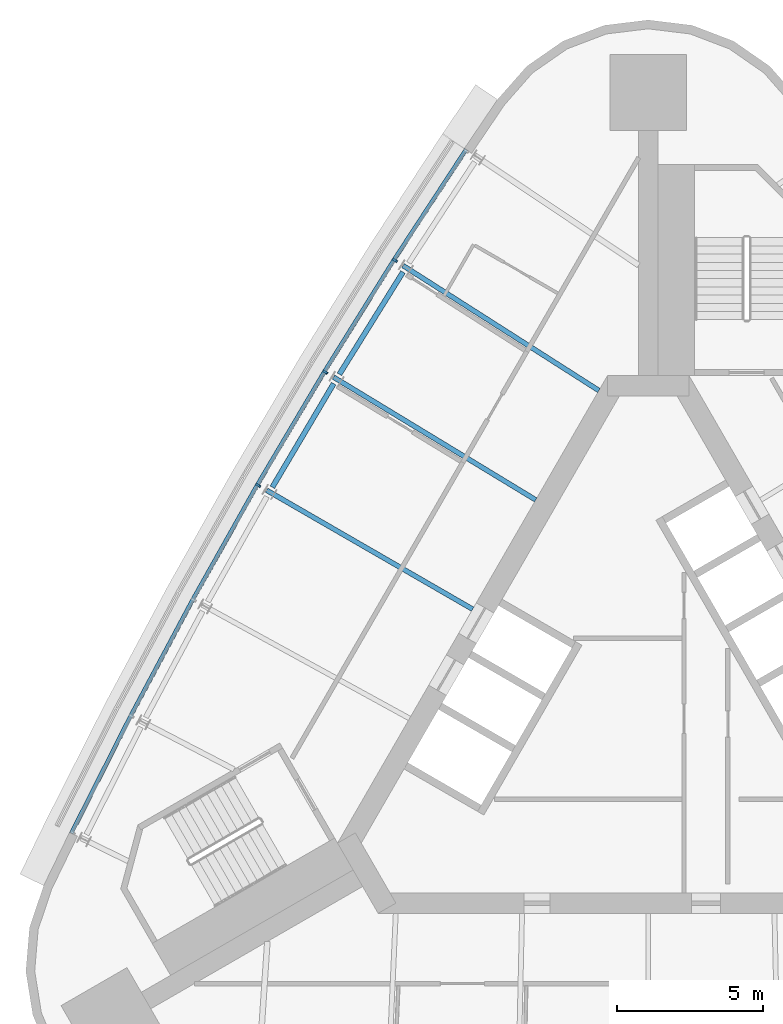
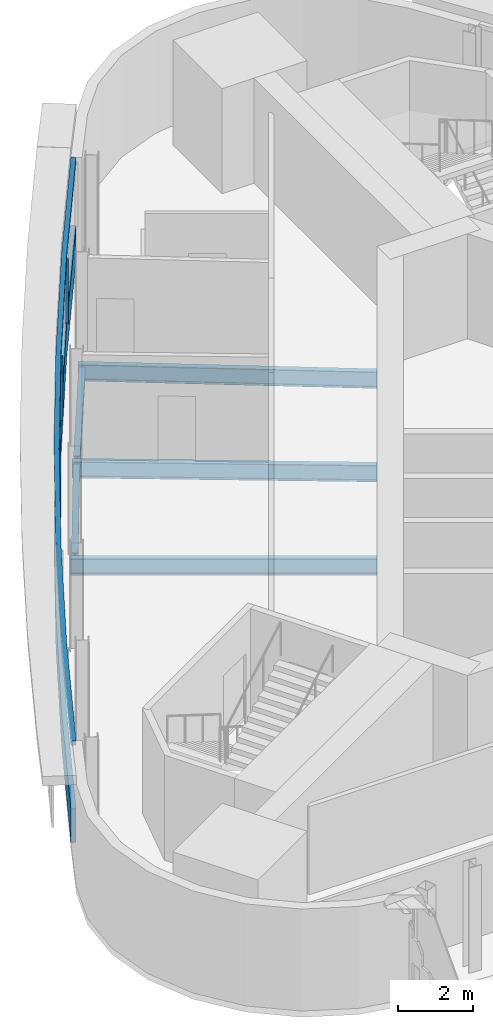
# One storey, part 6 of 14: 5 beams, 5 members, 1 element without a shape of its own.
"""IFC4 building model written with IfcOpenShell, lengths in metres."""

from ifc_helpers import new_model, si_unit, direction, frame, origin, origin_2d, place, context, subcontext, project, spatial, polyline, rectangle, i_section, outline, extrude, material, material_profile, profile_set, type_object, element, aggregate, save


model = new_model("IFC4")

# Units and contexts
model_context = context("Model", 3, precision=1e-05, world=origin(), true_north=direction((0.0, 1.0)))
body_context = subcontext(model_context, "Body", "Model", "MODEL_VIEW")
ifc_project = project(units=[si_unit("LENGTHUNIT", "METRE"), si_unit("AREAUNIT", "SQUARE_METRE"), si_unit("VOLUMEUNIT", "CUBIC_METRE"), si_unit("PLANEANGLEUNIT", "RADIAN"), si_unit("MASSUNIT", "GRAM", prefix="KILO")], contexts=[model_context])

# Site, building, storey
site_placement = place(None, origin())
site = spatial("IfcSite", under=ifc_project, at=site_placement, CompositionType="ELEMENT")
building_placement = place(site_placement, origin())
building = spatial("IfcBuilding", under=site, at=building_placement, Name="Noor Cloister Tower", CompositionType="ELEMENT")
storey_placement = place(building_placement, frame((0.0, 0.0, 222.0)))
storey = spatial("IfcBuildingStorey", under=building, at=storey_placement, Name="L57", CompositionType="ELEMENT", Elevation=222.0)

# Curtain wall, members
ifc_material_1 = material(Name="Aluminium 6063-T6 anodised", Category="aluminium")
curtain_wall_type = type_object("IfcCurtainWallType", Name="Ribbon curtain wall, upper tower CW5", PredefinedType="NOTDEFINED", material=ifc_material_1)
curtain_wall_placement = place(storey_placement, origin())
curtain_wall = element("IfcCurtainWall", 1, at=curtain_wall_placement, inside=storey, type_object=curtain_wall_type, Name="CW5 L57 NW run 1", PredefinedType="NOTDEFINED")
ifc_material_2 = material(Name="Aluminium 6063-T6 anodised", Category="aluminium")
member_type_1 = type_object("IfcMemberType", Name="Head transom CW5 150", PredefinedType="USERDEFINED", material=ifc_material_2)
member_1_placement = place(storey_placement, frame((0.0, 0.0, 3.14990234375)))
member_1 = element("IfcMember", 2, at=member_1_placement, type_object=member_type_1, Name="CW5 head transom", ObjectType="TRANSOM", PredefinedType="USERDEFINED", context=body_context, shape_type="SweptSolid", body=[
    extrude(outline(polyline([(-6.2822265625, 19.2041015625), (-8.744140625, 15.437255859375), (-11.122314453125, 11.6171875), (-13.415283203125, 7.745361328125), (-15.621826171875, 3.823486328125), (-17.7412109375, -0.14599609375), (-19.772216796875, -4.16162109375), (-19.647216796875, -4.224609375), (-17.616943359375, -0.210693359375), (-15.4990234375, 3.75634765625), (-13.2939453125, 7.67529296875), (-11.00244140625, 11.54443359375), (-8.626220703125, 15.362060546875), (-6.1650390625, 19.12744140625), (-6.2822265625, 19.2041015625)])), origin(), (0.0, 0.0, 1.0), 0.150146484375),
])
ifc_material_3 = material(Name="Aluminium 6063-T6 anodised", Category="aluminium")
ifc_material_profile_1 = material_profile(ifc_material_3, rectangle(XDim=0.179931640625, YDim=0.070068359375, at=origin_2d()), Name="180 x 70 mullion")
ifc_profile_set_1 = profile_set([ifc_material_profile_1], Name="Aluminium 6063-T6 anodised")
member_type_2 = type_object("IfcMemberType", Name="Mullion CW5 70 x 180", PredefinedType="MULLION", material=ifc_profile_set_1)
member_2_placement = place(storey_placement, frame((-8.659912109375, 15.383544921875, 1.10009765625), z_axis=(0.0, 0.0, 1.0), x_axis=(0.843050821041, -0.537833908509, 0.0)))
member_2 = element("IfcMember", 3, at=member_2_placement, type_object=member_type_2, Name="CW5 mullion 2", PredefinedType="MULLION", context=body_context, shape_type="SweptSolid", body=[
    extrude(rectangle(XDim=0.179931640625, YDim=0.070068359375, at=origin_2d()), origin(), (0.0, 0.0, 1.0), 2.0498046875),
])
member_3_placement = place(storey_placement, frame((-11.03662109375, 11.565185546875, 1.10009765625), z_axis=(0.0, 0.0, 1.0), x_axis=(0.854747474092, -0.519044078603, 0.0)))
member_3 = element("IfcMember", 4, at=member_3_placement, type_object=member_type_2, Name="CW5 mullion 3", PredefinedType="MULLION", context=body_context, shape_type="SweptSolid", body=[
    extrude(rectangle(XDim=0.179931640625, YDim=0.070068359375, at=origin_2d()), origin(), (0.0, 0.0, 1.0), 2.0498046875),
])
member_4_placement = place(storey_placement, frame((-13.32861328125, 7.6953125, 1.10009765625), z_axis=(0.0, 0.0, 1.0), x_axis=(0.866025403784, -0.5, 0.0)))
member_4 = element("IfcMember", 5, at=member_4_placement, type_object=member_type_2, Name="CW5 mullion 4", PredefinedType="MULLION", context=body_context, shape_type="SweptSolid", body=[
    extrude(rectangle(XDim=0.179931640625, YDim=0.070068359375, at=origin_2d()), origin(), (0.0, 0.0, 1.0), 2.0498046875),
])

# Beams
ifc_material_4 = material(Name="Steel ASTM A992 Gr 50", Category="steel")
ifc_material_profile_2 = material_profile(ifc_material_4, i_section(OverallWidth=0.166015625, OverallDepth=0.528076171875, WebThickness=0.009765625, FlangeThickness=0.013671875, FilletRadius=0.0126953125, at=origin_2d()), Name="W530x74")
ifc_profile_set_2 = profile_set([ifc_material_profile_2], Name="Steel ASTM A992 Gr 50")
beam_type_1 = type_object("IfcBeamType", Name="Radial beam W530x74", PredefinedType="BEAM", material=ifc_profile_set_2)
beam_1_placement = place(storey_placement, frame((-8.378173828125, 15.203857421875, -0.464111328125), z_axis=(0.843054264686, -0.537828510582, 0.0), x_axis=(0.537828510582, 0.843054264686, 0.0)))
element("IfcBeam", 6, at=beam_1_placement, inside=storey, type_object=beam_type_1, Name="Radial beam NW 02 L57", PredefinedType="BEAM", context=body_context, shape_type="SweptSolid", body=[
    extrude(i_section(OverallWidth=0.166015625, OverallDepth=0.528076171875, WebThickness=0.009765625, FlangeThickness=0.013671875, FilletRadius=0.0126953125, at=origin_2d()), origin(), (0.0, 0.0, 1.0), 7.93701171875),
])
beam_2_placement = place(storey_placement, frame((-10.751220703125, 11.391845703125, -0.464111328125), z_axis=(0.854748260186, -0.519042784084, 0.0), x_axis=(0.519042784084, 0.854748260186, 0.0)))
element("IfcBeam", 7, at=beam_2_placement, inside=storey, type_object=beam_type_1, Name="Radial beam NW 03 L57", PredefinedType="BEAM", context=body_context, shape_type="SweptSolid", body=[
    extrude(i_section(OverallWidth=0.166015625, OverallDepth=0.528076171875, WebThickness=0.009765625, FlangeThickness=0.013671875, FilletRadius=0.0126953125, at=origin_2d()), origin(), (0.0, 0.0, 1.0), 8.080322265625),
])
beam_3_placement = place(storey_placement, frame((-13.039306640625, 7.5283203125, -0.464111328125), z_axis=(0.866022026288, -0.50000584995, 0.0), x_axis=(0.50000584995, 0.866022026288, 0.0)))
element("IfcBeam", 8, at=beam_3_placement, inside=storey, type_object=beam_type_1, Name="Radial beam NW 04 L57", PredefinedType="BEAM", context=body_context, shape_type="SweptSolid", body=[
    extrude(i_section(OverallWidth=0.166015625, OverallDepth=0.528076171875, WebThickness=0.009765625, FlangeThickness=0.013671875, FilletRadius=0.0126953125, at=origin_2d()), origin(), (0.0, 0.0, 1.0), 8.12841796875),
])

# Member
ifc_material_5 = material(Name="Aluminium 6063-T6 anodised", Category="aluminium")
member_type_3 = type_object("IfcMemberType", Name="Sill transom CW5 1100", PredefinedType="USERDEFINED", material=ifc_material_5)
member_5_placement = place(storey_placement, origin())
member_5 = element("IfcMember", 9, at=member_5_placement, type_object=member_type_3, Name="CW5 sill transom", ObjectType="TRANSOM", PredefinedType="USERDEFINED", context=body_context, shape_type="SweptSolid", body=[
    extrude(outline(polyline([(-6.2822265625, 19.2041015625), (-8.744140625, 15.437255859375), (-11.122314453125, 11.6171875), (-13.415283203125, 7.745361328125), (-15.621826171875, 3.823486328125), (-17.7412109375, -0.14599609375), (-19.772216796875, -4.16162109375), (-19.647216796875, -4.224609375), (-17.616943359375, -0.210693359375), (-15.4990234375, 3.75634765625), (-13.2939453125, 7.67529296875), (-11.00244140625, 11.54443359375), (-8.626220703125, 15.362060546875), (-6.1650390625, 19.12744140625), (-6.2822265625, 19.2041015625)])), origin(), (0.0, 0.0, 1.0), 1.10009765625),
])

aggregate(curtain_wall, [member_2, member_3, member_4, member_5, member_1])

# Beams
ifc_material_6 = material(Name="Steel ASTM A992 Gr 50", Category="steel")
ifc_material_profile_3 = material_profile(ifc_material_6, i_section(OverallWidth=0.177978515625, OverallDepth=0.406005859375, WebThickness=0.0078125, FlangeThickness=0.0126953125, FilletRadius=0.01025390625, at=origin_2d()), Name="W410x60")
ifc_profile_set_3 = profile_set([ifc_material_profile_3], Name="Steel ASTM A992 Gr 50")
beam_type_2 = type_object("IfcBeamType", Name="Spandrel beam W410x60", PredefinedType="SPANDREL", material=ifc_profile_set_3)
beam_4_placement = place(storey_placement, frame((-8.379150390625, 14.983154296875, -0.403076171875), z_axis=(-0.528440659826, -0.848970240375, 0.0), x_axis=(0.848970240375, -0.528440659826, 0.0)))
element("IfcBeam", 10, at=beam_4_placement, inside=storey, type_object=beam_type_2, Name="Spandrel beam NW 02 L57", PredefinedType="SPANDREL", context=body_context, shape_type="SweptSolid", body=[
    extrude(i_section(OverallWidth=0.177978515625, OverallDepth=0.406005859375, WebThickness=0.0078125, FlangeThickness=0.0126953125, FilletRadius=0.01025390625, at=origin_2d()), origin(), (0.0, 0.0, 1.0), 4.114501953125),
])
beam_5_placement = place(storey_placement, frame((-10.7470703125, 11.171142578125, -0.403076171875), z_axis=(-0.509548653359, -0.860441845716, 0.0), x_axis=(0.860441845716, -0.509548653359, 0.0)))
element("IfcBeam", 11, at=beam_5_placement, inside=storey, type_object=beam_type_2, Name="Spandrel beam NW 03 L57", PredefinedType="SPANDREL", context=body_context, shape_type="SweptSolid", body=[
    extrude(i_section(OverallWidth=0.177978515625, OverallDepth=0.406005859375, WebThickness=0.0078125, FlangeThickness=0.0126953125, FilletRadius=0.01025390625, at=origin_2d()), origin(), (0.0, 0.0, 1.0), 4.11474609375),
])

save(model, "model.ifc")
